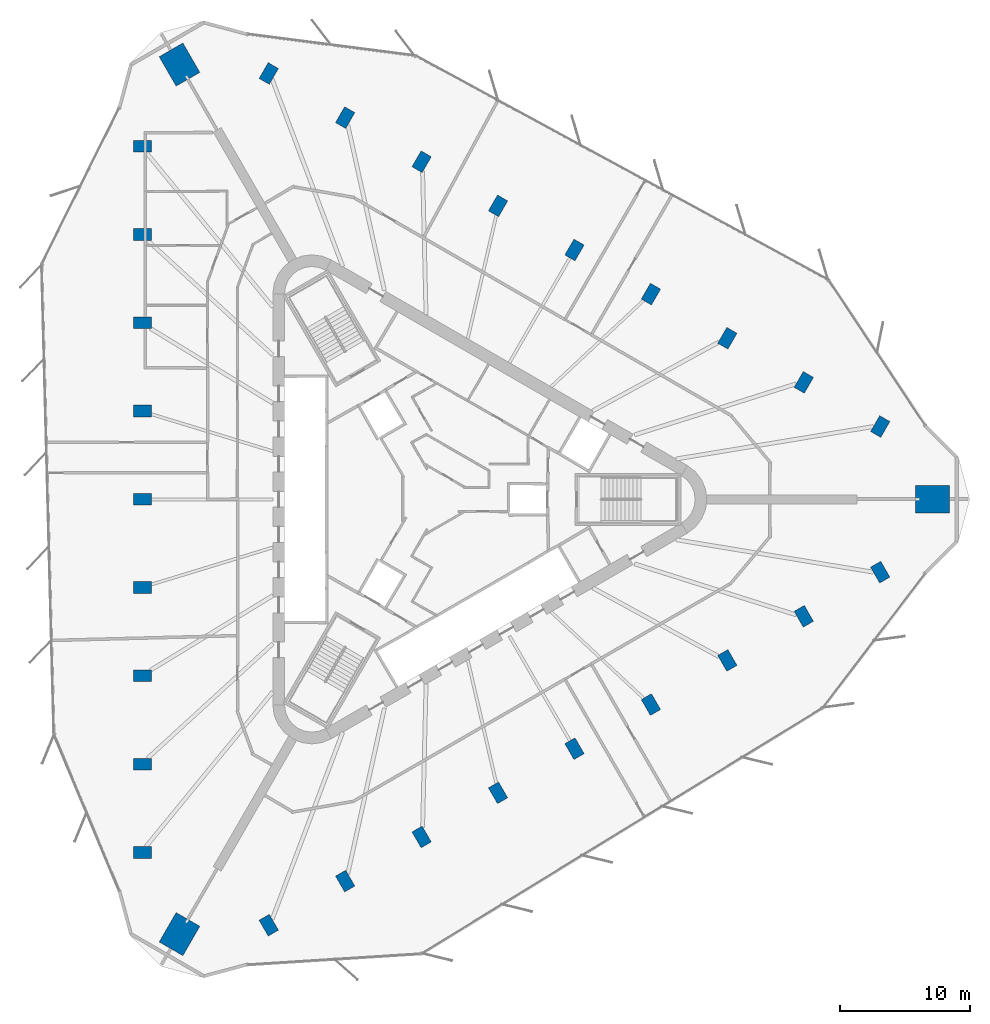
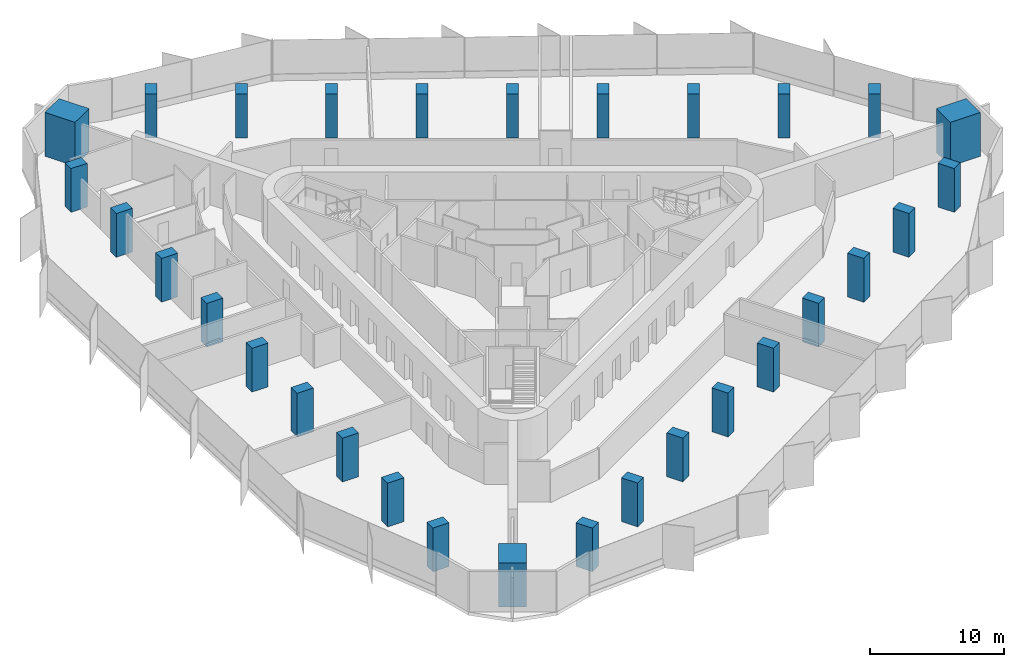
# One storey, part 1 of 14: 30 columns.
"""IFC4 building model written with IfcOpenShell, lengths in metres."""

import ifcopenshell
import ifcopenshell.guid

model = None  # the IFC model being written
_history = None  # IfcOwnerHistory: only IFC2X3 demands one
_inside = {}  # id of a spatial element -> (the spatial element, [elements in it])
_under = {}  # id of a project, library or spatial element -> (it, [spatial elements below it])
_declared = {}  # id of a project -> (the project, [libraries it declares])
_typed = {}  # id of a type object -> (the type object, [elements of that type])
_made_of = {}  # id of a material, layer set ... -> (it, [elements and type objects made of it])


def new_model(schema):
    """Start an empty IFC model of exactly this schema.

    Asked for "IFC4X3", IfcOpenShell would pick the latest addendum, in which some entities
    have other attributes; the version numbers below select the first issue.
    IFC2X3 requires an IfcOwnerHistory on every rooted entity: one is made here for all.
    """
    global model, _history
    if schema == "IFC4X3":
        model = ifcopenshell.file(schema_version=(4, 3, 0, 0))
    else:
        model = ifcopenshell.file(schema=schema)
    _inside.clear()
    _under.clear()
    _declared.clear()
    _typed.clear()
    _made_of.clear()
    _history = None
    if model.schema == "IFC2X3":
        org = make("IfcOrganization", Name="unknown")
        user = make(
            "IfcPersonAndOrganization",
            ThePerson=make("IfcPerson", FamilyName="unknown"),
            TheOrganization=org,
        )
        app = make(
            "IfcApplication",
            ApplicationDeveloper=org,
            Version="unknown",
            ApplicationFullName="unknown",
            ApplicationIdentifier="unknown",
        )
        _history = make(
            "IfcOwnerHistory",
            OwningUser=user,
            OwningApplication=app,
            ChangeAction="ADDED",
            CreationDate=0,
        )
    return model


def make(cls, **values):
    """One entity of the class cls with the attributes given. An attribute that is None is left unset."""
    return model.create_entity(
        cls, **{name: value for name, value in values.items() if value is not None}
    )


def rooted(cls, **values):
    """An entity with a GlobalId (a new one), such as an element, a storey or a relation."""
    return make(cls, GlobalId=ifcopenshell.guid.new(), OwnerHistory=_history, **values)


def si_unit(unit_type, name, prefix=None):
    """IfcSIUnit, for example si_unit("LENGTHUNIT", "METRE", prefix="MILLI")."""
    return make("IfcSIUnit", UnitType=unit_type, Prefix=prefix, Name=name)


def assignment(units):
    """IfcUnitAssignment: the units of a project."""
    return None if units is None else make("IfcUnitAssignment", Units=units)


def point(xyz):
    """IfcCartesianPoint."""
    return None if xyz is None else make("IfcCartesianPoint", Coordinates=xyz)


def direction(xyz):
    """IfcDirection."""
    return None if xyz is None else make("IfcDirection", DirectionRatios=xyz)


def frame(location, z_axis=None, x_axis=None):
    """IfcAxis2Placement3D, a coordinate frame: its origin and axes. An axis left out is left unset."""
    return make(
        "IfcAxis2Placement3D",
        Location=point(location),
        Axis=direction(z_axis),
        RefDirection=direction(x_axis),
    )


def frame_2d(location, x_axis=None):
    """IfcAxis2Placement2D, a coordinate frame in the plane: its origin and x axis."""
    return make(
        "IfcAxis2Placement2D", Location=point(location), RefDirection=direction(x_axis)
    )


def origin():
    """The frame at (0, 0, 0) with its axes left unset."""
    return frame((0.0, 0.0, 0.0))


def origin_2d():
    """The frame at (0, 0) in the plane with its x axis left unset."""
    return frame_2d((0.0, 0.0))


def place(relative_to, where):
    """IfcLocalPlacement: puts the frame where relative to a parent placement (None: the world)."""
    return make(
        "IfcLocalPlacement", PlacementRelTo=relative_to, RelativePlacement=where
    )


def context(
    kind, dimensions, precision=None, world=None, true_north=None, identifier=None
):
    """IfcGeometricRepresentationContext, for example the 3D "Model" context."""
    return make(
        "IfcGeometricRepresentationContext",
        ContextIdentifier=identifier,
        ContextType=kind,
        CoordinateSpaceDimension=dimensions,
        Precision=precision,
        WorldCoordinateSystem=world,
        TrueNorth=true_north,
    )


def subcontext(parent, identifier, kind, view, scale=None):
    """IfcGeometricRepresentationSubContext, for example "Body" below "Model"."""
    return make(
        "IfcGeometricRepresentationSubContext",
        ContextIdentifier=identifier,
        ContextType=kind,
        ParentContext=parent,
        TargetScale=scale,
        TargetView=view,
    )


def project(units=None, contexts=None):
    """IfcProject with its units and contexts."""
    return rooted(
        "IfcProject",
        Name="project",
        RepresentationContexts=contexts,
        UnitsInContext=assignment(units),
    )


def spatial(cls, under=None, at=None, **own):
    """A site, building, storey or space (cls), placed at a placement, below another one or the project."""
    s = rooted(cls, ObjectPlacement=at, **own)
    if under is not None:
        _under.setdefault(under.id(), (under, []))[1].append(s)
    return s


def profile(cls, at=None, kind="AREA", **sizes):
    """A parametric profile (cls). Its sizes go by their IFC names, for example OverallWidth=200.0."""
    return make(cls, ProfileType=kind, Position=at, **sizes)


def rectangle(**sizes):
    """IfcRectangleProfileDef."""
    return profile("IfcRectangleProfileDef", **sizes)


def extrude(swept, where, along, depth):
    """IfcExtrudedAreaSolid: the profile swept, set in the frame where, extruded along a direction by depth."""
    return make(
        "IfcExtrudedAreaSolid",
        SweptArea=swept,
        Position=where,
        ExtrudedDirection=direction(along),
        Depth=depth,
    )


def shape(context_of_items, identifier, shape_type, items):
    """IfcShapeRepresentation: the items that make up one representation, for example the "Body"."""
    return make(
        "IfcShapeRepresentation",
        ContextOfItems=context_of_items,
        RepresentationIdentifier=identifier,
        RepresentationType=shape_type,
        Items=items,
    )


def material(Name=None, Category=None):
    """IfcMaterial."""
    return make("IfcMaterial", Name=Name, Category=Category)


def material_profile(
    of_material, cross_section, Name=None, Category=None, Priority=None
):
    """IfcMaterialProfile: a cross section and its material."""
    return make(
        "IfcMaterialProfile",
        Name=Name,
        Material=of_material,
        Profile=cross_section,
        Priority=Priority,
        Category=Category,
    )


def profile_set(profiles, Name=None, composite=None):
    """IfcMaterialProfileSet."""
    return make(
        "IfcMaterialProfileSet",
        Name=Name,
        MaterialProfiles=profiles,
        CompositeProfile=composite,
    )


def made_of(thing, what):
    """Note that an element or type object is made of a material, layer set ...; save() writes the relation."""
    if what is not None:
        _made_of.setdefault(what.id(), (what, []))[1].append(thing)
    return thing


def type_object(cls, material=None, **own):
    """A type object (cls), such as IfcWallType, which elements share."""
    return made_of(rooted(cls, **own), material)


def element(
    cls,
    number,
    at=None,
    inside=None,
    cuts=None,
    type_object=None,
    material=None,
    context=None,
    identifier="Body",
    shape_type=None,
    held_by="IfcProductDefinitionShape",
    body=None,
    shapes=None,
    **own,
):
    """One element of the class cls, such as IfcWall. Its Tag is "e" and its number.

    at: its placement. inside: the storey or other place that contains it. cuts: it is an
    opening in that element (IfcRelVoidsElement). A single representation is given by context,
    identifier, shape_type and body (its items); several are given by shapes. held_by: the class
    of the entity that holds the representations. save() writes the other relations.
    """
    e = rooted(cls, Tag="e%d" % number, ObjectPlacement=at, **own)
    if body is not None:
        shapes = [shape(context, identifier, shape_type, body)]
    if shapes is not None:
        e.Representation = make(held_by, Representations=shapes)
    if inside is not None:
        _inside.setdefault(inside.id(), (inside, []))[1].append(e)
    if cuts is not None:
        rooted(
            "IfcRelVoidsElement", RelatingBuildingElement=cuts, RelatedOpeningElement=e
        )
    if type_object is not None:
        _typed.setdefault(type_object.id(), (type_object, []))[1].append(e)
    return made_of(e, material)


def aggregate(whole, parts):
    """IfcRelAggregates: a whole, such as a stair, and the parts it consists of."""
    return rooted("IfcRelAggregates", RelatingObject=whole, RelatedObjects=parts)


def save(model, path):
    """Write the relations noted so far, then the file.

    IfcRelAggregates (storeys below a building ...), IfcRelContainedInSpatialStructure (elements
    in a storey), IfcRelDefinesByType, IfcRelAssociatesMaterial and IfcRelDeclares: one each for
    every whole, place, type object, material and project.
    """
    for whole, parts in _under.values():
        aggregate(whole, parts)
    for where, things in _inside.values():
        rooted(
            "IfcRelContainedInSpatialStructure",
            RelatedElements=things,
            RelatingStructure=where,
        )
    for kind, things in _typed.values():
        rooted("IfcRelDefinesByType", RelatedObjects=things, RelatingType=kind)
    for what, things in _made_of.values():
        rooted("IfcRelAssociatesMaterial", RelatedObjects=things, RelatingMaterial=what)
    for by, libraries in _declared.values():
        rooted("IfcRelDeclares", RelatingContext=by, RelatedDefinitions=libraries)
    model.write(path)


model = new_model("IFC4")

# Units and contexts
model_context = context("Model", 3, precision=1e-05, world=origin(), true_north=direction((0.0, 1.0)))
body_context = subcontext(model_context, "Body", "Model", "MODEL_VIEW")
ifc_project = project(units=[si_unit("LENGTHUNIT", "METRE"), si_unit("AREAUNIT", "SQUARE_METRE"), si_unit("VOLUMEUNIT", "CUBIC_METRE"), si_unit("PLANEANGLEUNIT", "RADIAN"), si_unit("MASSUNIT", "GRAM", prefix="KILO")], contexts=[model_context])

# Site, building, storey
site_placement = place(None, origin())
site = spatial("IfcSite", under=ifc_project, at=site_placement, CompositionType="ELEMENT")
building_placement = place(site_placement, origin())
building = spatial("IfcBuilding", under=site, at=building_placement, Name="Tanit Gate Tower", CompositionType="ELEMENT")
storey_placement = place(building_placement, frame((0.0, 0.0, 217.199951171875)))
storey = spatial("IfcBuildingStorey", under=building, at=storey_placement, Name="L48", CompositionType="ELEMENT", Elevation=217.199951171875)

# Columns
ifc_material_1 = material(Name="Concrete C60/75", Category="concrete")
ifc_material_profile_1 = material_profile(ifc_material_1, rectangle(XDim=2.60009765625, YDim=2.10009765625, at=origin_2d()), Name="RC 2600x2100")
ifc_profile_set_1 = profile_set([ifc_material_profile_1], Name="Concrete C60/75")
column_type_1 = type_object("IfcColumnType", Name="MEGA COLUMN 2600x2100 C60/75", PredefinedType="COLUMN", material=ifc_profile_set_1)
for number, where, z_axis, x_axis, name in (
    (1, (38.515380859375, 0.0, 0.0), (0.0, 0.0, 1.0), (1.0, 0.0, 0.0), "MEGA COLUMN"),
    (2, (-19.2578125, 33.355224609375, 0.0), (0.0, 0.0, 1.0), (-0.5, 0.866025403784, 0.0), "MEGA COLUMN"),
    (3, (-19.2578125, -33.355224609375, 0.0), (0.0, 0.0, 1.0), (-0.5, -0.866025403784, 0.0), "MEGA COLUMN"),
):
    element("IfcColumn", number, at=place(storey_placement, frame(where, z_axis=z_axis, x_axis=x_axis)), inside=storey, type_object=column_type_1, Name=name, PredefinedType="COLUMN", context=body_context, shape_type="SweptSolid", body=[
        extrude(rectangle(XDim=2.60009765625, YDim=2.10009765625, at=origin_2d()), origin(), (0.0, 0.0, 1.0), 4.0),
    ])
ifc_material_2 = material(Name="Concrete C50/60", Category="concrete")
ifc_material_profile_2 = material_profile(ifc_material_2, rectangle(XDim=1.39990234375, YDim=0.89990234375, at=origin_2d()), Name="RC 1400x900")
ifc_profile_set_2 = profile_set([ifc_material_profile_2], Name="Concrete C50/60")
column_type_2 = type_object("IfcColumnType", Name="PERIMETER COLUMN 1400x900 C50/60", PredefinedType="COLUMN", material=ifc_profile_set_2)
for number, where, z_axis, x_axis, name in (
    (4, (-22.088134765625, 27.083984375, 0.0), (0.0, 0.0, 1.0), (-1.0, 0.0, 0.0), "PERIMETER COLUMN"),
    (5, (-22.088134765625, 20.31298828125, 0.0), (0.0, 0.0, 1.0), (-1.0, 0.0, 0.0), "PERIMETER COLUMN"),
    (6, (-22.088134765625, 13.5419921875, 0.0), (0.0, 0.0, 1.0), (-1.0, 0.0, 0.0), "PERIMETER COLUMN"),
    (7, (-22.088134765625, 6.77099609375, 0.0), (0.0, 0.0, 1.0), (-1.0, 0.0, 0.0), "PERIMETER COLUMN"),
    (8, (-22.088134765625, 0.0, 0.0), (0.0, 0.0, 1.0), (-1.0, 0.0, 0.0), "PERIMETER COLUMN"),
    (9, (-22.088134765625, -6.77099609375, 0.0), (0.0, 0.0, 1.0), (-1.0, 0.0, 0.0), "PERIMETER COLUMN"),
    (10, (-22.088134765625, -13.5419921875, 0.0), (0.0, 0.0, 1.0), (-1.0, 0.0, 0.0), "PERIMETER COLUMN"),
    (11, (-22.088134765625, -20.31298828125, 0.0), (0.0, 0.0, 1.0), (-1.0, 0.0, 0.0), "PERIMETER COLUMN"),
    (12, (-22.088134765625, -27.083984375, 0.0), (0.0, 0.0, 1.0), (-1.0, 0.0, 0.0), "PERIMETER COLUMN"),
    (13, (34.49951171875, 5.5869140625, 0.0), (0.0, 0.0, 1.0), (0.5, 0.866025403784, 0.0), "PERIMETER COLUMN"),
    (14, (28.635498046875, 8.972412109375, 0.0), (0.0, 0.0, 1.0), (0.5, 0.866025403784, 0.0), "PERIMETER COLUMN"),
    (15, (22.771728515625, 12.35791015625, 0.0), (0.0, 0.0, 1.0), (0.5, 0.866025403784, 0.0), "PERIMETER COLUMN"),
    (16, (16.907958984375, 15.743408203125, 0.0), (0.0, 0.0, 1.0), (0.5, 0.866025403784, 0.0), "PERIMETER COLUMN"),
    (17, (11.0439453125, 19.12890625, 0.0), (0.0, 0.0, 1.0), (0.5, 0.866025403784, 0.0), "PERIMETER COLUMN"),
    (18, (5.18017578125, 22.514404296875, 0.0), (0.0, 0.0, 1.0), (0.5, 0.866025403784, 0.0), "PERIMETER COLUMN"),
    (19, (-0.68359375, 25.89990234375, 0.0), (0.0, 0.0, 1.0), (0.5, 0.866025403784, 0.0), "PERIMETER COLUMN"),
    (20, (-6.547607421875, 29.285400390625, 0.0), (0.0, 0.0, 1.0), (0.5, 0.866025403784, 0.0), "PERIMETER COLUMN"),
    (21, (-12.411376953125, 32.6708984375, 0.0), (0.0, 0.0, 1.0), (0.5, 0.866025403784, 0.0), "PERIMETER COLUMN"),
    (22, (-12.411376953125, -32.6708984375, 0.0), (0.0, 0.0, 1.0), (0.5, -0.866025403784, 0.0), "PERIMETER COLUMN"),
    (23, (-6.547607421875, -29.285400390625, 0.0), (0.0, 0.0, 1.0), (0.5, -0.866025403784, 0.0), "PERIMETER COLUMN"),
    (24, (-0.68359375, -25.89990234375, 0.0), (0.0, 0.0, 1.0), (0.5, -0.866025403784, 0.0), "PERIMETER COLUMN"),
    (25, (5.18017578125, -22.514404296875, 0.0), (0.0, 0.0, 1.0), (0.5, -0.866025403784, 0.0), "PERIMETER COLUMN"),
    (26, (11.0439453125, -19.12890625, 0.0), (0.0, 0.0, 1.0), (0.5, -0.866025403784, 0.0), "PERIMETER COLUMN"),
    (27, (16.907958984375, -15.743408203125, 0.0), (0.0, 0.0, 1.0), (0.5, -0.866025403784, 0.0), "PERIMETER COLUMN"),
    (28, (22.771728515625, -12.35791015625, 0.0), (0.0, 0.0, 1.0), (0.5, -0.866025403784, 0.0), "PERIMETER COLUMN"),
    (29, (28.635498046875, -8.972412109375, 0.0), (0.0, 0.0, 1.0), (0.5, -0.866025403784, 0.0), "PERIMETER COLUMN"),
    (30, (34.49951171875, -5.5869140625, 0.0), (0.0, 0.0, 1.0), (0.5, -0.866025403784, 0.0), "PERIMETER COLUMN"),
):
    element("IfcColumn", number, at=place(storey_placement, frame(where, z_axis=z_axis, x_axis=x_axis)), inside=storey, type_object=column_type_2, Name=name, PredefinedType="COLUMN", context=body_context, shape_type="SweptSolid", body=[
        extrude(rectangle(XDim=1.39990234375, YDim=0.89990234375, at=origin_2d()), origin(), (0.0, 0.0, 1.0), 4.0),
    ])

save(model, "model.ifc")
